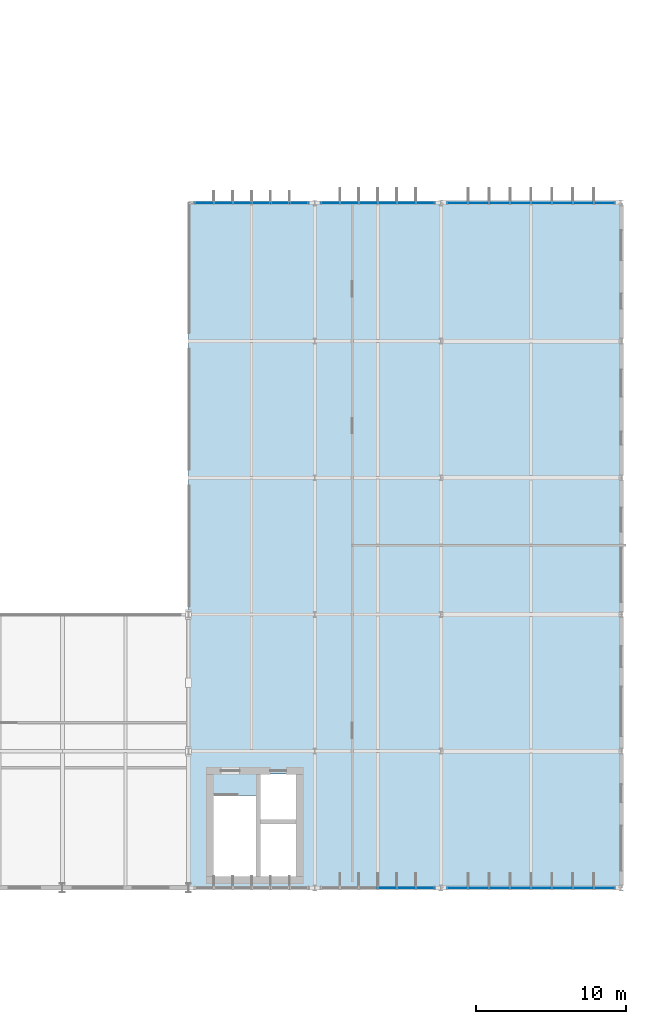
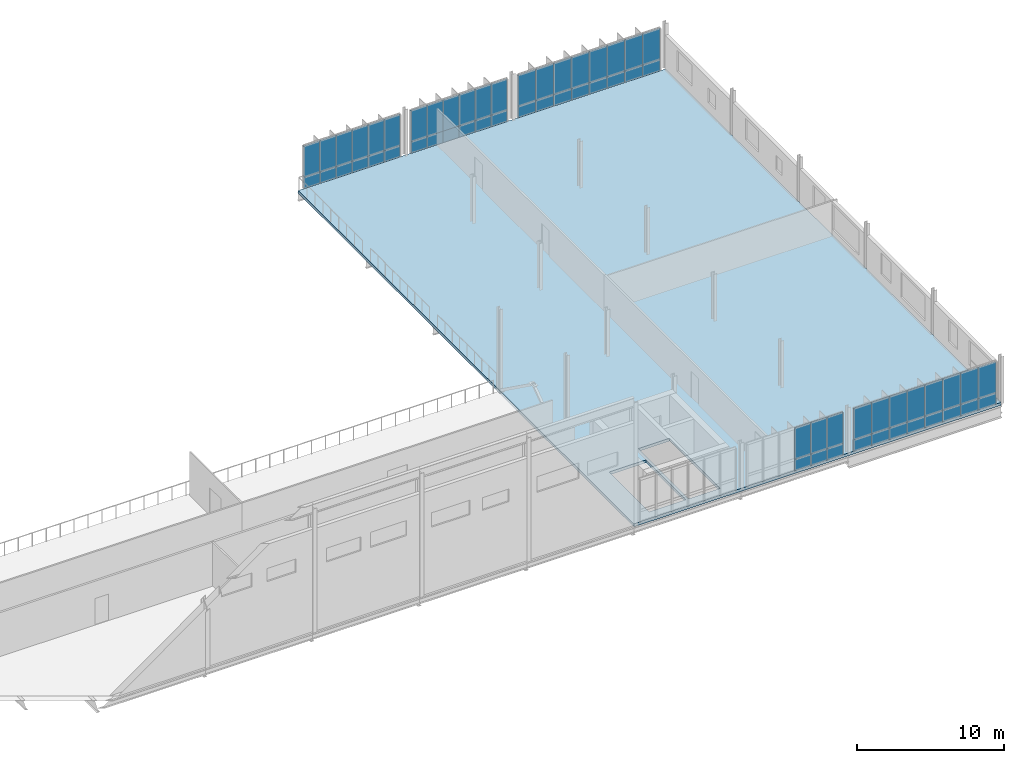
# One storey, part 45 of 61: 62 plates, 1 slab, 5 elements without a shape of their own.
"""IFC4 building model written with IfcOpenShell, lengths in metres."""

from ifc_helpers import new_model, si_unit, derived_unit, direction, frame, origin, origin_2d, place, context, subcontext, project, spatial, polyline, rectangle, outline, extrude, material, layer, layer_set, type_object, element, aggregate, save


model = new_model("IFC4")

# Units and contexts
model_context = context("Model", 3, precision=1e-05, world=origin(), true_north=direction((0.0, 1.0)))
body_context = subcontext(model_context, "Body", "Model", "MODEL_VIEW")
ifc_project = project(units=[si_unit("LENGTHUNIT", "METRE"), si_unit("AREAUNIT", "SQUARE_METRE"), si_unit("VOLUMEUNIT", "CUBIC_METRE"), si_unit("PLANEANGLEUNIT", "RADIAN"), si_unit("MASSUNIT", "GRAM", prefix="KILO"), derived_unit("THERMALTRANSMITTANCEUNIT", [(si_unit("MASSUNIT", "GRAM", prefix="KILO"), 1), (si_unit("TIMEUNIT", "SECOND"), -3), (si_unit("THERMODYNAMICTEMPERATUREUNIT", "KELVIN"), -1)])], contexts=[model_context])

# Site, building, storey
site_placement = place(None, origin())
site = spatial("IfcSite", under=ifc_project, at=site_placement, CompositionType="ELEMENT")
building_placement = place(site_placement, origin())
building = spatial("IfcBuilding", under=site, at=building_placement, Name="Makaiwela Harbour Ferry Terminal", CompositionType="ELEMENT")
storey_placement = place(building_placement, frame((0.0, 0.0, 13.800048828125)))
storey = spatial("IfcBuildingStorey", under=building, at=storey_placement, Name="L03", CompositionType="ELEMENT", Elevation=13.800048828125)

# Curtain wall, plates
ifc_material_1 = material(Name="Marine anodised aluminium 6063-T6", Category="aluminium")
ifc_layer_1 = layer(ifc_material_1, 0.199951171875)
ifc_layer_set_1 = layer_set([ifc_layer_1], Name="Marine anodised aluminium 6063-T6")
curtain_wall_type_1 = type_object("IfcCurtainWallType", Name="ENV-CW-15", PredefinedType="USERDEFINED", material=ifc_layer_set_1)
curtain_wall_1_placement = place(storey_placement, origin())
curtain_wall_1 = element("IfcCurtainWall", 1, at=curtain_wall_1_placement, inside=storey, type_object=curtain_wall_type_1, Name="Unitised Curtain Wall CWA-123", ObjectType="UNITIZED CURTAIN WALL", PredefinedType="USERDEFINED")
ifc_material_2 = material(Name="Laminated hurricane-impact low-E insulated glazing", Category="glass")
ifc_layer_2 = layer(ifc_material_2, 0.031982421875)
ifc_layer_set_2 = layer_set([ifc_layer_2], Name="Laminated hurricane-impact low-E insulated glazing")
plate_type_1 = type_object("IfcPlateType", Name="CW-PNL-G20", PredefinedType="CURTAIN_PANEL", material=ifc_layer_set_2)
plate_1_placement = place(storey_placement, frame((139.64990234375, 95.0, 0.949951171875), z_axis=(0.0, 0.0, 1.0), x_axis=(1.0, 0.0, 0.0)))
plate_1 = element("IfcPlate", 2, at=plate_1_placement, type_object=plate_type_1, Name="Glazed Vision Panel CWA-123-1G", PredefinedType="CURTAIN_PANEL", context=body_context, shape_type="SweptSolid", body=[
    extrude(rectangle(XDim=1.260009765625, YDim=0.031982421875, at=origin_2d()), origin(), (0.0, 0.0, 1.0), 2.60009765625),
])
plate_2_placement = place(storey_placement, frame((140.909912109375, 95.0, 0.949951171875), z_axis=(0.0, 0.0, 1.0), x_axis=(1.0, 0.0, 0.0)))
plate_2 = element("IfcPlate", 3, at=plate_2_placement, type_object=plate_type_1, Name="Glazed Vision Panel CWA-123-2G", PredefinedType="CURTAIN_PANEL", context=body_context, shape_type="SweptSolid", body=[
    extrude(rectangle(XDim=1.260009765625, YDim=0.031982421875, at=origin_2d()), origin(), (0.0, 0.0, 1.0), 2.60009765625),
])
plate_3_placement = place(storey_placement, frame((142.169921875, 95.0, 0.949951171875), z_axis=(0.0, 0.0, 1.0), x_axis=(1.0, 0.0, 0.0)))
plate_3 = element("IfcPlate", 4, at=plate_3_placement, type_object=plate_type_1, Name="Glazed Vision Panel CWA-123-3G", PredefinedType="CURTAIN_PANEL", context=body_context, shape_type="SweptSolid", body=[
    extrude(rectangle(XDim=1.260009765625, YDim=0.031982421875, at=origin_2d()), origin(), (0.0, 0.0, 1.0), 2.60009765625),
])
plate_4_placement = place(storey_placement, frame((143.429931640625, 95.0, 0.949951171875), z_axis=(0.0, 0.0, 1.0), x_axis=(1.0, 0.0, 0.0)))
plate_4 = element("IfcPlate", 5, at=plate_4_placement, type_object=plate_type_1, Name="Glazed Vision Panel CWA-123-4G", PredefinedType="CURTAIN_PANEL", context=body_context, shape_type="SweptSolid", body=[
    extrude(rectangle(XDim=1.260009765625, YDim=0.031982421875, at=origin_2d()), origin(), (0.0, 0.0, 1.0), 2.60009765625),
])
plate_5_placement = place(storey_placement, frame((144.68994140625, 95.0, 0.949951171875), z_axis=(0.0, 0.0, 1.0), x_axis=(1.0, 0.0, 0.0)))
plate_5 = element("IfcPlate", 6, at=plate_5_placement, type_object=plate_type_1, Name="Glazed Vision Panel CWA-123-5G", PredefinedType="CURTAIN_PANEL", context=body_context, shape_type="SweptSolid", body=[
    extrude(rectangle(XDim=1.260009765625, YDim=0.031982421875, at=origin_2d()), origin(), (0.0, 0.0, 1.0), 2.60009765625),
])
plate_6_placement = place(storey_placement, frame((145.949951171875, 95.0, 0.949951171875), z_axis=(0.0, 0.0, 1.0), x_axis=(1.0, 0.0, 0.0)))
plate_6 = element("IfcPlate", 7, at=plate_6_placement, type_object=plate_type_1, Name="Glazed Vision Panel CWA-123-6G", PredefinedType="CURTAIN_PANEL", context=body_context, shape_type="SweptSolid", body=[
    extrude(rectangle(XDim=1.260009765625, YDim=0.031982421875, at=origin_2d()), origin(), (0.0, 0.0, 1.0), 2.60009765625),
])

curtain_wall_2_placement = place(storey_placement, origin())
curtain_wall_2 = element("IfcCurtainWall", 8, at=curtain_wall_2_placement, inside=storey, type_object=curtain_wall_type_1, Name="Unitised Curtain Wall CWA-127", ObjectType="UNITIZED CURTAIN WALL", PredefinedType="USERDEFINED")
plate_7_placement = place(storey_placement, frame((148.050048828125, 95.0, 0.949951171875), z_axis=(0.0, 0.0, 1.0), x_axis=(1.0, 0.0, 0.0)))
plate_7 = element("IfcPlate", 9, at=plate_7_placement, type_object=plate_type_1, Name="Glazed Vision Panel CWA-127-1G", PredefinedType="CURTAIN_PANEL", context=body_context, shape_type="SweptSolid", body=[
    extrude(rectangle(XDim=1.260009765625, YDim=0.031982421875, at=origin_2d()), origin(), (0.0, 0.0, 1.0), 2.60009765625),
])
plate_8_placement = place(storey_placement, frame((149.31005859375, 95.0, 0.949951171875), z_axis=(0.0, 0.0, 1.0), x_axis=(1.0, 0.0, 0.0)))
plate_8 = element("IfcPlate", 10, at=plate_8_placement, type_object=plate_type_1, Name="Glazed Vision Panel CWA-127-2G", PredefinedType="CURTAIN_PANEL", context=body_context, shape_type="SweptSolid", body=[
    extrude(rectangle(XDim=1.260009765625, YDim=0.031982421875, at=origin_2d()), origin(), (0.0, 0.0, 1.0), 2.60009765625),
])
plate_9_placement = place(storey_placement, frame((150.570068359375, 95.0, 0.949951171875), z_axis=(0.0, 0.0, 1.0), x_axis=(1.0, 0.0, 0.0)))
plate_9 = element("IfcPlate", 11, at=plate_9_placement, type_object=plate_type_1, Name="Glazed Vision Panel CWA-127-3G", PredefinedType="CURTAIN_PANEL", context=body_context, shape_type="SweptSolid", body=[
    extrude(rectangle(XDim=1.260009765625, YDim=0.031982421875, at=origin_2d()), origin(), (0.0, 0.0, 1.0), 2.60009765625),
])
plate_10_placement = place(storey_placement, frame((151.830078125, 95.0, 0.949951171875), z_axis=(0.0, 0.0, 1.0), x_axis=(1.0, 0.0, 0.0)))
plate_10 = element("IfcPlate", 12, at=plate_10_placement, type_object=plate_type_1, Name="Glazed Vision Panel CWA-127-4G", PredefinedType="CURTAIN_PANEL", context=body_context, shape_type="SweptSolid", body=[
    extrude(rectangle(XDim=1.260009765625, YDim=0.031982421875, at=origin_2d()), origin(), (0.0, 0.0, 1.0), 2.60009765625),
])
plate_11_placement = place(storey_placement, frame((153.090087890625, 95.0, 0.949951171875), z_axis=(0.0, 0.0, 1.0), x_axis=(1.0, 0.0, 0.0)))
plate_11 = element("IfcPlate", 13, at=plate_11_placement, type_object=plate_type_1, Name="Glazed Vision Panel CWA-127-5G", PredefinedType="CURTAIN_PANEL", context=body_context, shape_type="SweptSolid", body=[
    extrude(rectangle(XDim=1.260009765625, YDim=0.031982421875, at=origin_2d()), origin(), (0.0, 0.0, 1.0), 2.60009765625),
])
plate_12_placement = place(storey_placement, frame((154.35009765625, 95.0, 0.949951171875), z_axis=(0.0, 0.0, 1.0), x_axis=(1.0, 0.0, 0.0)))
plate_12 = element("IfcPlate", 14, at=plate_12_placement, type_object=plate_type_1, Name="Glazed Vision Panel CWA-127-6G", PredefinedType="CURTAIN_PANEL", context=body_context, shape_type="SweptSolid", body=[
    extrude(rectangle(XDim=1.260009765625, YDim=0.031982421875, at=origin_2d()), origin(), (0.0, 0.0, 1.0), 2.60009765625),
])

curtain_wall_3_placement = place(storey_placement, origin())
curtain_wall_3 = element("IfcCurtainWall", 15, at=curtain_wall_3_placement, inside=storey, type_object=curtain_wall_type_1, Name="Unitised Curtain Wall CWA-155", ObjectType="UNITIZED CURTAIN WALL", PredefinedType="USERDEFINED")
plate_13_placement = place(storey_placement, frame((154.35009765625, 49.39990234375, 0.949951171875), z_axis=(0.0, 0.0, 1.0), x_axis=(-1.0, 0.0, 0.0)))
plate_13 = element("IfcPlate", 16, at=plate_13_placement, type_object=plate_type_1, Name="Glazed Vision Panel CWA-155-1G", PredefinedType="CURTAIN_PANEL", context=body_context, shape_type="SweptSolid", body=[
    extrude(rectangle(XDim=1.260009765625, YDim=0.031982421875, at=origin_2d()), origin(), (0.0, 0.0, 1.0), 2.60009765625),
])
plate_14_placement = place(storey_placement, frame((153.090087890625, 49.39990234375, 0.949951171875), z_axis=(0.0, 0.0, 1.0), x_axis=(-1.0, 0.0, 0.0)))
plate_14 = element("IfcPlate", 17, at=plate_14_placement, type_object=plate_type_1, Name="Glazed Vision Panel CWA-155-2G", PredefinedType="CURTAIN_PANEL", context=body_context, shape_type="SweptSolid", body=[
    extrude(rectangle(XDim=1.260009765625, YDim=0.031982421875, at=origin_2d()), origin(), (0.0, 0.0, 1.0), 2.60009765625),
])
plate_15_placement = place(storey_placement, frame((151.830078125, 49.39990234375, 0.949951171875), z_axis=(0.0, 0.0, 1.0), x_axis=(-1.0, 0.0, 0.0)))
plate_15 = element("IfcPlate", 18, at=plate_15_placement, type_object=plate_type_1, Name="Glazed Vision Panel CWA-155-3G", PredefinedType="CURTAIN_PANEL", context=body_context, shape_type="SweptSolid", body=[
    extrude(rectangle(XDim=1.260009765625, YDim=0.031982421875, at=origin_2d()), origin(), (0.0, 0.0, 1.0), 2.60009765625),
])

ifc_layer_3 = layer(ifc_material_1, 0.199951171875)
ifc_layer_set_3 = layer_set([ifc_layer_3], Name="Marine anodised aluminium 6063-T6")
curtain_wall_type_2 = type_object("IfcCurtainWallType", Name="ENV-CW-19", PredefinedType="USERDEFINED", material=ifc_layer_set_3)
curtain_wall_4_placement = place(storey_placement, origin())
curtain_wall_4 = element("IfcCurtainWall", 19, at=curtain_wall_4_placement, inside=storey, type_object=curtain_wall_type_2, Name="Unitised Curtain Wall CWA-131", ObjectType="UNITIZED CURTAIN WALL", PredefinedType="USERDEFINED")
ifc_layer_4 = layer(ifc_material_2, 0.031982421875)
ifc_layer_set_4 = layer_set([ifc_layer_4], Name="Laminated hurricane-impact low-E insulated glazing")
plate_type_2 = type_object("IfcPlateType", Name="CW-PNL-G25", PredefinedType="CURTAIN_PANEL", material=ifc_layer_set_4)
plate_16_placement = place(storey_placement, frame((156.517578125, 95.0, 0.949951171875), z_axis=(0.0, 0.0, 1.0), x_axis=(1.0, 0.0, 0.0)))
plate_16 = element("IfcPlate", 20, at=plate_16_placement, type_object=plate_type_2, Name="Glazed Vision Panel CWA-131-1G", PredefinedType="CURTAIN_PANEL", context=body_context, shape_type="SweptSolid", body=[
    extrude(rectangle(XDim=1.39501953125, YDim=0.031982421875, at=origin_2d()), origin(), (0.0, 0.0, 1.0), 2.60009765625),
])
plate_17_placement = place(storey_placement, frame((157.91259765625, 95.0, 0.949951171875), z_axis=(0.0, 0.0, 1.0), x_axis=(1.0, 0.0, 0.0)))
plate_17 = element("IfcPlate", 21, at=plate_17_placement, type_object=plate_type_2, Name="Glazed Vision Panel CWA-131-2G", PredefinedType="CURTAIN_PANEL", context=body_context, shape_type="SweptSolid", body=[
    extrude(rectangle(XDim=1.39501953125, YDim=0.031982421875, at=origin_2d()), origin(), (0.0, 0.0, 1.0), 2.60009765625),
])
plate_18_placement = place(storey_placement, frame((159.3076171875, 95.0, 0.949951171875), z_axis=(0.0, 0.0, 1.0), x_axis=(1.0, 0.0, 0.0)))
plate_18 = element("IfcPlate", 22, at=plate_18_placement, type_object=plate_type_2, Name="Glazed Vision Panel CWA-131-3G", PredefinedType="CURTAIN_PANEL", context=body_context, shape_type="SweptSolid", body=[
    extrude(rectangle(XDim=1.39501953125, YDim=0.031982421875, at=origin_2d()), origin(), (0.0, 0.0, 1.0), 2.60009765625),
])
plate_19_placement = place(storey_placement, frame((160.702392578125, 95.0, 0.949951171875), z_axis=(0.0, 0.0, 1.0), x_axis=(1.0, 0.0, 0.0)))
plate_19 = element("IfcPlate", 23, at=plate_19_placement, type_object=plate_type_2, Name="Glazed Vision Panel CWA-131-4G", PredefinedType="CURTAIN_PANEL", context=body_context, shape_type="SweptSolid", body=[
    extrude(rectangle(XDim=1.39501953125, YDim=0.031982421875, at=origin_2d()), origin(), (0.0, 0.0, 1.0), 2.60009765625),
])
plate_20_placement = place(storey_placement, frame((162.097412109375, 95.0, 0.949951171875), z_axis=(0.0, 0.0, 1.0), x_axis=(1.0, 0.0, 0.0)))
plate_20 = element("IfcPlate", 24, at=plate_20_placement, type_object=plate_type_2, Name="Glazed Vision Panel CWA-131-5G", PredefinedType="CURTAIN_PANEL", context=body_context, shape_type="SweptSolid", body=[
    extrude(rectangle(XDim=1.39501953125, YDim=0.031982421875, at=origin_2d()), origin(), (0.0, 0.0, 1.0), 2.60009765625),
])
plate_21_placement = place(storey_placement, frame((163.492431640625, 95.0, 0.949951171875), z_axis=(0.0, 0.0, 1.0), x_axis=(1.0, 0.0, 0.0)))
plate_21 = element("IfcPlate", 25, at=plate_21_placement, type_object=plate_type_2, Name="Glazed Vision Panel CWA-131-6G", PredefinedType="CURTAIN_PANEL", context=body_context, shape_type="SweptSolid", body=[
    extrude(rectangle(XDim=1.39501953125, YDim=0.031982421875, at=origin_2d()), origin(), (0.0, 0.0, 1.0), 2.60009765625),
])
plate_22_placement = place(storey_placement, frame((164.887451171875, 95.0, 0.949951171875), z_axis=(0.0, 0.0, 1.0), x_axis=(1.0, 0.0, 0.0)))
plate_22 = element("IfcPlate", 26, at=plate_22_placement, type_object=plate_type_2, Name="Glazed Vision Panel CWA-131-7G", PredefinedType="CURTAIN_PANEL", context=body_context, shape_type="SweptSolid", body=[
    extrude(rectangle(XDim=1.39501953125, YDim=0.031982421875, at=origin_2d()), origin(), (0.0, 0.0, 1.0), 2.60009765625),
])
plate_23_placement = place(storey_placement, frame((166.282470703125, 95.0, 0.949951171875), z_axis=(0.0, 0.0, 1.0), x_axis=(1.0, 0.0, 0.0)))
plate_23 = element("IfcPlate", 27, at=plate_23_placement, type_object=plate_type_2, Name="Glazed Vision Panel CWA-131-8G", PredefinedType="CURTAIN_PANEL", context=body_context, shape_type="SweptSolid", body=[
    extrude(rectangle(XDim=1.39501953125, YDim=0.031982421875, at=origin_2d()), origin(), (0.0, 0.0, 1.0), 2.60009765625),
])

curtain_wall_5_placement = place(storey_placement, origin())
curtain_wall_5 = element("IfcCurtainWall", 28, at=curtain_wall_5_placement, inside=storey, type_object=curtain_wall_type_2, Name="Unitised Curtain Wall CWA-157", ObjectType="UNITIZED CURTAIN WALL", PredefinedType="USERDEFINED")
plate_24_placement = place(storey_placement, frame((166.282470703125, 49.39990234375, 0.949951171875), z_axis=(0.0, 0.0, 1.0), x_axis=(-1.0, 0.0, 0.0)))
plate_24 = element("IfcPlate", 29, at=plate_24_placement, type_object=plate_type_2, Name="Glazed Vision Panel CWA-157-1G", PredefinedType="CURTAIN_PANEL", context=body_context, shape_type="SweptSolid", body=[
    extrude(rectangle(XDim=1.39501953125, YDim=0.031982421875, at=origin_2d()), origin(), (0.0, 0.0, 1.0), 2.60009765625),
])
plate_25_placement = place(storey_placement, frame((164.887451171875, 49.39990234375, 0.949951171875), z_axis=(0.0, 0.0, 1.0), x_axis=(-1.0, 0.0, 0.0)))
plate_25 = element("IfcPlate", 30, at=plate_25_placement, type_object=plate_type_2, Name="Glazed Vision Panel CWA-157-2G", PredefinedType="CURTAIN_PANEL", context=body_context, shape_type="SweptSolid", body=[
    extrude(rectangle(XDim=1.39501953125, YDim=0.031982421875, at=origin_2d()), origin(), (0.0, 0.0, 1.0), 2.60009765625),
])
plate_26_placement = place(storey_placement, frame((163.492431640625, 49.39990234375, 0.949951171875), z_axis=(0.0, 0.0, 1.0), x_axis=(-1.0, 0.0, 0.0)))
plate_26 = element("IfcPlate", 31, at=plate_26_placement, type_object=plate_type_2, Name="Glazed Vision Panel CWA-157-3G", PredefinedType="CURTAIN_PANEL", context=body_context, shape_type="SweptSolid", body=[
    extrude(rectangle(XDim=1.39501953125, YDim=0.031982421875, at=origin_2d()), origin(), (0.0, 0.0, 1.0), 2.60009765625),
])
plate_27_placement = place(storey_placement, frame((162.097412109375, 49.39990234375, 0.949951171875), z_axis=(0.0, 0.0, 1.0), x_axis=(-1.0, 0.0, 0.0)))
plate_27 = element("IfcPlate", 32, at=plate_27_placement, type_object=plate_type_2, Name="Glazed Vision Panel CWA-157-4G", PredefinedType="CURTAIN_PANEL", context=body_context, shape_type="SweptSolid", body=[
    extrude(rectangle(XDim=1.39501953125, YDim=0.031982421875, at=origin_2d()), origin(), (0.0, 0.0, 1.0), 2.60009765625),
])
plate_28_placement = place(storey_placement, frame((160.702392578125, 49.39990234375, 0.949951171875), z_axis=(0.0, 0.0, 1.0), x_axis=(-1.0, 0.0, 0.0)))
plate_28 = element("IfcPlate", 33, at=plate_28_placement, type_object=plate_type_2, Name="Glazed Vision Panel CWA-157-5G", PredefinedType="CURTAIN_PANEL", context=body_context, shape_type="SweptSolid", body=[
    extrude(rectangle(XDim=1.39501953125, YDim=0.031982421875, at=origin_2d()), origin(), (0.0, 0.0, 1.0), 2.60009765625),
])
plate_29_placement = place(storey_placement, frame((159.3076171875, 49.39990234375, 0.949951171875), z_axis=(0.0, 0.0, 1.0), x_axis=(-1.0, 0.0, 0.0)))
plate_29 = element("IfcPlate", 34, at=plate_29_placement, type_object=plate_type_2, Name="Glazed Vision Panel CWA-157-6G", PredefinedType="CURTAIN_PANEL", context=body_context, shape_type="SweptSolid", body=[
    extrude(rectangle(XDim=1.39501953125, YDim=0.031982421875, at=origin_2d()), origin(), (0.0, 0.0, 1.0), 2.60009765625),
])
plate_30_placement = place(storey_placement, frame((157.91259765625, 49.39990234375, 0.949951171875), z_axis=(0.0, 0.0, 1.0), x_axis=(-1.0, 0.0, 0.0)))
plate_30 = element("IfcPlate", 35, at=plate_30_placement, type_object=plate_type_2, Name="Glazed Vision Panel CWA-157-7G", PredefinedType="CURTAIN_PANEL", context=body_context, shape_type="SweptSolid", body=[
    extrude(rectangle(XDim=1.39501953125, YDim=0.031982421875, at=origin_2d()), origin(), (0.0, 0.0, 1.0), 2.60009765625),
])
plate_31_placement = place(storey_placement, frame((156.517578125, 49.39990234375, 0.949951171875), z_axis=(0.0, 0.0, 1.0), x_axis=(-1.0, 0.0, 0.0)))
plate_31 = element("IfcPlate", 36, at=plate_31_placement, type_object=plate_type_2, Name="Glazed Vision Panel CWA-157-8G", PredefinedType="CURTAIN_PANEL", context=body_context, shape_type="SweptSolid", body=[
    extrude(rectangle(XDim=1.39501953125, YDim=0.031982421875, at=origin_2d()), origin(), (0.0, 0.0, 1.0), 2.60009765625),
])

# Plate
ifc_material_3 = material(Name="Insulated marine aluminium spandrel panel", Category="aluminium")
ifc_layer_5 = layer(ifc_material_3, 0.048095703125)
ifc_layer_set_5 = layer_set([ifc_layer_5], Name="Insulated marine aluminium spandrel panel")
plate_type_3 = type_object("IfcPlateType", Name="CW-PNL-S11", PredefinedType="CURTAIN_PANEL", material=ifc_layer_set_5)
plate_32_placement = place(storey_placement, frame((139.64990234375, 95.0, 0.0), z_axis=(0.0, 0.0, 1.0), x_axis=(1.0, 0.0, 0.0)))
plate_32 = element("IfcPlate", 37, at=plate_32_placement, type_object=plate_type_3, Name="Spandrel Panel CWA-123-1S", PredefinedType="CURTAIN_PANEL", context=body_context, shape_type="SweptSolid", body=[
    extrude(rectangle(XDim=1.260009765625, YDim=0.048095703125, at=origin_2d()), origin(), (0.0, 0.0, 1.0), 0.949951171875),
])

plate_33_placement = place(storey_placement, frame((140.909912109375, 95.0, 0.0), z_axis=(0.0, 0.0, 1.0), x_axis=(1.0, 0.0, 0.0)))
plate_33 = element("IfcPlate", 38, at=plate_33_placement, type_object=plate_type_3, Name="Spandrel Panel CWA-123-2S", PredefinedType="CURTAIN_PANEL", context=body_context, shape_type="SweptSolid", body=[
    extrude(rectangle(XDim=1.260009765625, YDim=0.048095703125, at=origin_2d()), origin(), (0.0, 0.0, 1.0), 0.949951171875),
])

plate_34_placement = place(storey_placement, frame((142.169921875, 95.0, 0.0), z_axis=(0.0, 0.0, 1.0), x_axis=(1.0, 0.0, 0.0)))
plate_34 = element("IfcPlate", 39, at=plate_34_placement, type_object=plate_type_3, Name="Spandrel Panel CWA-123-3S", PredefinedType="CURTAIN_PANEL", context=body_context, shape_type="SweptSolid", body=[
    extrude(rectangle(XDim=1.260009765625, YDim=0.048095703125, at=origin_2d()), origin(), (0.0, 0.0, 1.0), 0.949951171875),
])

plate_35_placement = place(storey_placement, frame((143.429931640625, 95.0, 0.0), z_axis=(0.0, 0.0, 1.0), x_axis=(1.0, 0.0, 0.0)))
plate_35 = element("IfcPlate", 40, at=plate_35_placement, type_object=plate_type_3, Name="Spandrel Panel CWA-123-4S", PredefinedType="CURTAIN_PANEL", context=body_context, shape_type="SweptSolid", body=[
    extrude(rectangle(XDim=1.260009765625, YDim=0.048095703125, at=origin_2d()), origin(), (0.0, 0.0, 1.0), 0.949951171875),
])

plate_36_placement = place(storey_placement, frame((144.68994140625, 95.0, 0.0), z_axis=(0.0, 0.0, 1.0), x_axis=(1.0, 0.0, 0.0)))
plate_36 = element("IfcPlate", 41, at=plate_36_placement, type_object=plate_type_3, Name="Spandrel Panel CWA-123-5S", PredefinedType="CURTAIN_PANEL", context=body_context, shape_type="SweptSolid", body=[
    extrude(rectangle(XDim=1.260009765625, YDim=0.048095703125, at=origin_2d()), origin(), (0.0, 0.0, 1.0), 0.949951171875),
])

plate_37_placement = place(storey_placement, frame((145.949951171875, 95.0, 0.0), z_axis=(0.0, 0.0, 1.0), x_axis=(1.0, 0.0, 0.0)))
plate_37 = element("IfcPlate", 42, at=plate_37_placement, type_object=plate_type_3, Name="Spandrel Panel CWA-123-6S", PredefinedType="CURTAIN_PANEL", context=body_context, shape_type="SweptSolid", body=[
    extrude(rectangle(XDim=1.260009765625, YDim=0.048095703125, at=origin_2d()), origin(), (0.0, 0.0, 1.0), 0.949951171875),
])

aggregate(curtain_wall_1, [plate_32, plate_1, plate_33, plate_2, plate_34, plate_3, plate_35, plate_4, plate_36, plate_5, plate_37, plate_6])

plate_38_placement = place(storey_placement, frame((148.050048828125, 95.0, 0.0), z_axis=(0.0, 0.0, 1.0), x_axis=(1.0, 0.0, 0.0)))
plate_38 = element("IfcPlate", 43, at=plate_38_placement, type_object=plate_type_3, Name="Spandrel Panel CWA-127-1S", PredefinedType="CURTAIN_PANEL", context=body_context, shape_type="SweptSolid", body=[
    extrude(rectangle(XDim=1.260009765625, YDim=0.048095703125, at=origin_2d()), origin(), (0.0, 0.0, 1.0), 0.949951171875),
])

plate_39_placement = place(storey_placement, frame((149.31005859375, 95.0, 0.0), z_axis=(0.0, 0.0, 1.0), x_axis=(1.0, 0.0, 0.0)))
plate_39 = element("IfcPlate", 44, at=plate_39_placement, type_object=plate_type_3, Name="Spandrel Panel CWA-127-2S", PredefinedType="CURTAIN_PANEL", context=body_context, shape_type="SweptSolid", body=[
    extrude(rectangle(XDim=1.260009765625, YDim=0.048095703125, at=origin_2d()), origin(), (0.0, 0.0, 1.0), 0.949951171875),
])

plate_40_placement = place(storey_placement, frame((150.570068359375, 95.0, 0.0), z_axis=(0.0, 0.0, 1.0), x_axis=(1.0, 0.0, 0.0)))
plate_40 = element("IfcPlate", 45, at=plate_40_placement, type_object=plate_type_3, Name="Spandrel Panel CWA-127-3S", PredefinedType="CURTAIN_PANEL", context=body_context, shape_type="SweptSolid", body=[
    extrude(rectangle(XDim=1.260009765625, YDim=0.048095703125, at=origin_2d()), origin(), (0.0, 0.0, 1.0), 0.949951171875),
])

plate_41_placement = place(storey_placement, frame((151.830078125, 95.0, 0.0), z_axis=(0.0, 0.0, 1.0), x_axis=(1.0, 0.0, 0.0)))
plate_41 = element("IfcPlate", 46, at=plate_41_placement, type_object=plate_type_3, Name="Spandrel Panel CWA-127-4S", PredefinedType="CURTAIN_PANEL", context=body_context, shape_type="SweptSolid", body=[
    extrude(rectangle(XDim=1.260009765625, YDim=0.048095703125, at=origin_2d()), origin(), (0.0, 0.0, 1.0), 0.949951171875),
])

plate_42_placement = place(storey_placement, frame((153.090087890625, 95.0, 0.0), z_axis=(0.0, 0.0, 1.0), x_axis=(1.0, 0.0, 0.0)))
plate_42 = element("IfcPlate", 47, at=plate_42_placement, type_object=plate_type_3, Name="Spandrel Panel CWA-127-5S", PredefinedType="CURTAIN_PANEL", context=body_context, shape_type="SweptSolid", body=[
    extrude(rectangle(XDim=1.260009765625, YDim=0.048095703125, at=origin_2d()), origin(), (0.0, 0.0, 1.0), 0.949951171875),
])

plate_43_placement = place(storey_placement, frame((154.35009765625, 95.0, 0.0), z_axis=(0.0, 0.0, 1.0), x_axis=(1.0, 0.0, 0.0)))
plate_43 = element("IfcPlate", 48, at=plate_43_placement, type_object=plate_type_3, Name="Spandrel Panel CWA-127-6S", PredefinedType="CURTAIN_PANEL", context=body_context, shape_type="SweptSolid", body=[
    extrude(rectangle(XDim=1.260009765625, YDim=0.048095703125, at=origin_2d()), origin(), (0.0, 0.0, 1.0), 0.949951171875),
])

aggregate(curtain_wall_2, [plate_38, plate_7, plate_39, plate_8, plate_40, plate_9, plate_41, plate_10, plate_42, plate_11, plate_43, plate_12])

plate_44_placement = place(storey_placement, frame((154.35009765625, 49.39990234375, 0.0), z_axis=(0.0, 0.0, 1.0), x_axis=(-1.0, 0.0, 0.0)))
plate_44 = element("IfcPlate", 49, at=plate_44_placement, type_object=plate_type_3, Name="Spandrel Panel CWA-155-1S", PredefinedType="CURTAIN_PANEL", context=body_context, shape_type="SweptSolid", body=[
    extrude(rectangle(XDim=1.260009765625, YDim=0.048095703125, at=origin_2d()), origin(), (0.0, 0.0, 1.0), 0.949951171875),
])

plate_45_placement = place(storey_placement, frame((153.090087890625, 49.39990234375, 0.0), z_axis=(0.0, 0.0, 1.0), x_axis=(-1.0, 0.0, 0.0)))
plate_45 = element("IfcPlate", 50, at=plate_45_placement, type_object=plate_type_3, Name="Spandrel Panel CWA-155-2S", PredefinedType="CURTAIN_PANEL", context=body_context, shape_type="SweptSolid", body=[
    extrude(rectangle(XDim=1.260009765625, YDim=0.048095703125, at=origin_2d()), origin(), (0.0, 0.0, 1.0), 0.949951171875),
])

plate_46_placement = place(storey_placement, frame((151.830078125, 49.39990234375, 0.0), z_axis=(0.0, 0.0, 1.0), x_axis=(-1.0, 0.0, 0.0)))
plate_46 = element("IfcPlate", 51, at=plate_46_placement, type_object=plate_type_3, Name="Spandrel Panel CWA-155-3S", PredefinedType="CURTAIN_PANEL", context=body_context, shape_type="SweptSolid", body=[
    extrude(rectangle(XDim=1.260009765625, YDim=0.048095703125, at=origin_2d()), origin(), (0.0, 0.0, 1.0), 0.949951171875),
])

aggregate(curtain_wall_3, [plate_44, plate_13, plate_45, plate_14, plate_46, plate_15])

ifc_layer_6 = layer(ifc_material_3, 0.048095703125)
ifc_layer_set_6 = layer_set([ifc_layer_6], Name="Insulated marine aluminium spandrel panel")
plate_type_4 = type_object("IfcPlateType", Name="CW-PNL-S21", PredefinedType="CURTAIN_PANEL", material=ifc_layer_set_6)
plate_47_placement = place(storey_placement, frame((156.517578125, 95.0, 0.0), z_axis=(0.0, 0.0, 1.0), x_axis=(1.0, 0.0, 0.0)))
plate_47 = element("IfcPlate", 52, at=plate_47_placement, type_object=plate_type_4, Name="Spandrel Panel CWA-131-1S", PredefinedType="CURTAIN_PANEL", context=body_context, shape_type="SweptSolid", body=[
    extrude(rectangle(XDim=1.39501953125, YDim=0.048095703125, at=origin_2d()), origin(), (0.0, 0.0, 1.0), 0.949951171875),
])

plate_48_placement = place(storey_placement, frame((157.91259765625, 95.0, 0.0), z_axis=(0.0, 0.0, 1.0), x_axis=(1.0, 0.0, 0.0)))
plate_48 = element("IfcPlate", 53, at=plate_48_placement, type_object=plate_type_4, Name="Spandrel Panel CWA-131-2S", PredefinedType="CURTAIN_PANEL", context=body_context, shape_type="SweptSolid", body=[
    extrude(rectangle(XDim=1.39501953125, YDim=0.048095703125, at=origin_2d()), origin(), (0.0, 0.0, 1.0), 0.949951171875),
])

plate_49_placement = place(storey_placement, frame((159.3076171875, 95.0, 0.0), z_axis=(0.0, 0.0, 1.0), x_axis=(1.0, 0.0, 0.0)))
plate_49 = element("IfcPlate", 54, at=plate_49_placement, type_object=plate_type_4, Name="Spandrel Panel CWA-131-3S", PredefinedType="CURTAIN_PANEL", context=body_context, shape_type="SweptSolid", body=[
    extrude(rectangle(XDim=1.39501953125, YDim=0.048095703125, at=origin_2d()), origin(), (0.0, 0.0, 1.0), 0.949951171875),
])

plate_50_placement = place(storey_placement, frame((160.702392578125, 95.0, 0.0), z_axis=(0.0, 0.0, 1.0), x_axis=(1.0, 0.0, 0.0)))
plate_50 = element("IfcPlate", 55, at=plate_50_placement, type_object=plate_type_4, Name="Spandrel Panel CWA-131-4S", PredefinedType="CURTAIN_PANEL", context=body_context, shape_type="SweptSolid", body=[
    extrude(rectangle(XDim=1.39501953125, YDim=0.048095703125, at=origin_2d()), origin(), (0.0, 0.0, 1.0), 0.949951171875),
])

plate_51_placement = place(storey_placement, frame((162.097412109375, 95.0, 0.0), z_axis=(0.0, 0.0, 1.0), x_axis=(1.0, 0.0, 0.0)))
plate_51 = element("IfcPlate", 56, at=plate_51_placement, type_object=plate_type_4, Name="Spandrel Panel CWA-131-5S", PredefinedType="CURTAIN_PANEL", context=body_context, shape_type="SweptSolid", body=[
    extrude(rectangle(XDim=1.39501953125, YDim=0.048095703125, at=origin_2d()), origin(), (0.0, 0.0, 1.0), 0.949951171875),
])

plate_52_placement = place(storey_placement, frame((163.492431640625, 95.0, 0.0), z_axis=(0.0, 0.0, 1.0), x_axis=(1.0, 0.0, 0.0)))
plate_52 = element("IfcPlate", 57, at=plate_52_placement, type_object=plate_type_4, Name="Spandrel Panel CWA-131-6S", PredefinedType="CURTAIN_PANEL", context=body_context, shape_type="SweptSolid", body=[
    extrude(rectangle(XDim=1.39501953125, YDim=0.048095703125, at=origin_2d()), origin(), (0.0, 0.0, 1.0), 0.949951171875),
])

plate_53_placement = place(storey_placement, frame((164.887451171875, 95.0, 0.0), z_axis=(0.0, 0.0, 1.0), x_axis=(1.0, 0.0, 0.0)))
plate_53 = element("IfcPlate", 58, at=plate_53_placement, type_object=plate_type_4, Name="Spandrel Panel CWA-131-7S", PredefinedType="CURTAIN_PANEL", context=body_context, shape_type="SweptSolid", body=[
    extrude(rectangle(XDim=1.39501953125, YDim=0.048095703125, at=origin_2d()), origin(), (0.0, 0.0, 1.0), 0.949951171875),
])

plate_54_placement = place(storey_placement, frame((166.282470703125, 95.0, 0.0), z_axis=(0.0, 0.0, 1.0), x_axis=(1.0, 0.0, 0.0)))
plate_54 = element("IfcPlate", 59, at=plate_54_placement, type_object=plate_type_4, Name="Spandrel Panel CWA-131-8S", PredefinedType="CURTAIN_PANEL", context=body_context, shape_type="SweptSolid", body=[
    extrude(rectangle(XDim=1.39501953125, YDim=0.048095703125, at=origin_2d()), origin(), (0.0, 0.0, 1.0), 0.949951171875),
])

aggregate(curtain_wall_4, [plate_47, plate_16, plate_48, plate_17, plate_49, plate_18, plate_50, plate_19, plate_51, plate_20, plate_52, plate_21, plate_53, plate_22, plate_54, plate_23])

plate_55_placement = place(storey_placement, frame((166.282470703125, 49.39990234375, 0.0), z_axis=(0.0, 0.0, 1.0), x_axis=(-1.0, 0.0, 0.0)))
plate_55 = element("IfcPlate", 60, at=plate_55_placement, type_object=plate_type_4, Name="Spandrel Panel CWA-157-1S", PredefinedType="CURTAIN_PANEL", context=body_context, shape_type="SweptSolid", body=[
    extrude(rectangle(XDim=1.39501953125, YDim=0.048095703125, at=origin_2d()), origin(), (0.0, 0.0, 1.0), 0.949951171875),
])

plate_56_placement = place(storey_placement, frame((164.887451171875, 49.39990234375, 0.0), z_axis=(0.0, 0.0, 1.0), x_axis=(-1.0, 0.0, 0.0)))
plate_56 = element("IfcPlate", 61, at=plate_56_placement, type_object=plate_type_4, Name="Spandrel Panel CWA-157-2S", PredefinedType="CURTAIN_PANEL", context=body_context, shape_type="SweptSolid", body=[
    extrude(rectangle(XDim=1.39501953125, YDim=0.048095703125, at=origin_2d()), origin(), (0.0, 0.0, 1.0), 0.949951171875),
])

plate_57_placement = place(storey_placement, frame((163.492431640625, 49.39990234375, 0.0), z_axis=(0.0, 0.0, 1.0), x_axis=(-1.0, 0.0, 0.0)))
plate_57 = element("IfcPlate", 62, at=plate_57_placement, type_object=plate_type_4, Name="Spandrel Panel CWA-157-3S", PredefinedType="CURTAIN_PANEL", context=body_context, shape_type="SweptSolid", body=[
    extrude(rectangle(XDim=1.39501953125, YDim=0.048095703125, at=origin_2d()), origin(), (0.0, 0.0, 1.0), 0.949951171875),
])

plate_58_placement = place(storey_placement, frame((162.097412109375, 49.39990234375, 0.0), z_axis=(0.0, 0.0, 1.0), x_axis=(-1.0, 0.0, 0.0)))
plate_58 = element("IfcPlate", 63, at=plate_58_placement, type_object=plate_type_4, Name="Spandrel Panel CWA-157-4S", PredefinedType="CURTAIN_PANEL", context=body_context, shape_type="SweptSolid", body=[
    extrude(rectangle(XDim=1.39501953125, YDim=0.048095703125, at=origin_2d()), origin(), (0.0, 0.0, 1.0), 0.949951171875),
])

plate_59_placement = place(storey_placement, frame((160.702392578125, 49.39990234375, 0.0), z_axis=(0.0, 0.0, 1.0), x_axis=(-1.0, 0.0, 0.0)))
plate_59 = element("IfcPlate", 64, at=plate_59_placement, type_object=plate_type_4, Name="Spandrel Panel CWA-157-5S", PredefinedType="CURTAIN_PANEL", context=body_context, shape_type="SweptSolid", body=[
    extrude(rectangle(XDim=1.39501953125, YDim=0.048095703125, at=origin_2d()), origin(), (0.0, 0.0, 1.0), 0.949951171875),
])

plate_60_placement = place(storey_placement, frame((159.3076171875, 49.39990234375, 0.0), z_axis=(0.0, 0.0, 1.0), x_axis=(-1.0, 0.0, 0.0)))
plate_60 = element("IfcPlate", 65, at=plate_60_placement, type_object=plate_type_4, Name="Spandrel Panel CWA-157-6S", PredefinedType="CURTAIN_PANEL", context=body_context, shape_type="SweptSolid", body=[
    extrude(rectangle(XDim=1.39501953125, YDim=0.048095703125, at=origin_2d()), origin(), (0.0, 0.0, 1.0), 0.949951171875),
])

plate_61_placement = place(storey_placement, frame((157.91259765625, 49.39990234375, 0.0), z_axis=(0.0, 0.0, 1.0), x_axis=(-1.0, 0.0, 0.0)))
plate_61 = element("IfcPlate", 66, at=plate_61_placement, type_object=plate_type_4, Name="Spandrel Panel CWA-157-7S", PredefinedType="CURTAIN_PANEL", context=body_context, shape_type="SweptSolid", body=[
    extrude(rectangle(XDim=1.39501953125, YDim=0.048095703125, at=origin_2d()), origin(), (0.0, 0.0, 1.0), 0.949951171875),
])

plate_62_placement = place(storey_placement, frame((156.517578125, 49.39990234375, 0.0), z_axis=(0.0, 0.0, 1.0), x_axis=(-1.0, 0.0, 0.0)))
plate_62 = element("IfcPlate", 67, at=plate_62_placement, type_object=plate_type_4, Name="Spandrel Panel CWA-157-8S", PredefinedType="CURTAIN_PANEL", context=body_context, shape_type="SweptSolid", body=[
    extrude(rectangle(XDim=1.39501953125, YDim=0.048095703125, at=origin_2d()), origin(), (0.0, 0.0, 1.0), 0.949951171875),
])

aggregate(curtain_wall_5, [plate_55, plate_24, plate_56, plate_25, plate_57, plate_26, plate_58, plate_27, plate_59, plate_28, plate_60, plate_29, plate_61, plate_30, plate_62, plate_31])

# Slab
ifc_material_4 = material(Name="Concrete f'c 35 MPa (5000 psi)", Category="concrete")
ifc_layer_7 = layer(ifc_material_4, 0.239990234375)
ifc_layer_set_7 = layer_set([ifc_layer_7], Name="Concrete f'c 35 MPa (5000 psi)")
slab_type = type_object("IfcSlabType", Name="SLB-FLR-240", PredefinedType="FLOOR", material=ifc_layer_set_7)
slab_placement = place(storey_placement, frame((0.0, 0.0, -0.239990234375)))
element("IfcSlab", 68, at=slab_placement, inside=storey, type_object=slab_type, Name="Slab SLB-040", PredefinedType="FLOOR", context=body_context, shape_type="SweptSolid", body=[
    extrude(outline(polyline([(138.60205078125, 67.60009765625), (138.60205078125, 49.39990234375), (167.39990234375, 49.39990234375), (167.39990234375, 95.0), (138.60009765625, 95.0), (138.60205078125, 67.60009765625)]), holes=[polyline([(140.219970703125, 50.1201171875), (140.219970703125, 55.56005859375), (143.110107421875, 55.56005859375), (143.110107421875, 50.1201171875), (140.219970703125, 50.1201171875)]), polyline([(143.320068359375, 50.1201171875), (143.320068359375, 56.97998046875), (145.780029296875, 56.97998046875), (145.780029296875, 50.1201171875), (143.320068359375, 50.1201171875)])]), origin(), (0.0, 0.0, 1.0), 0.239990234375),
])

save(model, "model.ifc")
